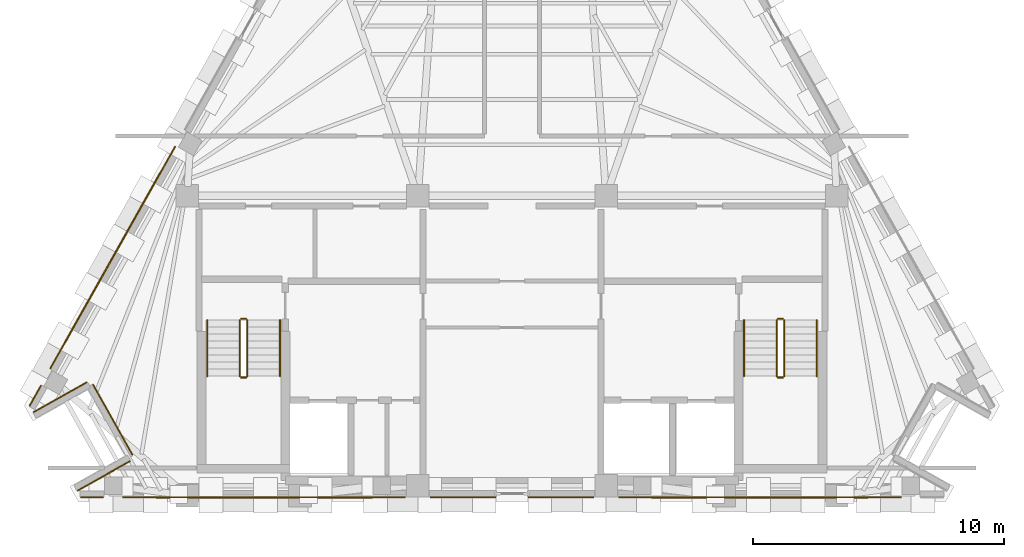
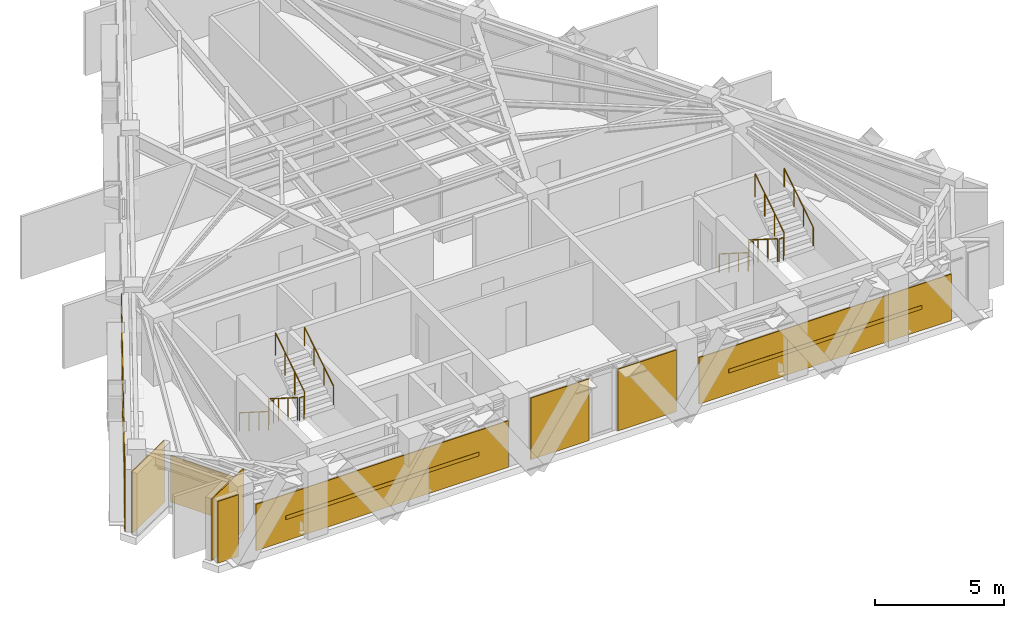
# One storey, part 6 of 7: 12 railings, 10 coverings, 3 shading devices.
"""IFC4 building model written with IfcOpenShell, lengths in metres."""

from ifc_helpers import new_model, si_unit, direction, frame, origin, origin_2d, place, context, subcontext, project, spatial, polyline, rectangle, circle, outline, extrude, material, layer, layer_set, material_profile, profile_set, type_object, element, save


model = new_model("IFC4")

# Units and contexts
model_context = context("Model", 3, precision=1e-05, world=origin(), true_north=direction((0.0, 1.0)))
body_context = subcontext(model_context, "Body", "Model", "MODEL_VIEW")
ifc_project = project(units=[si_unit("LENGTHUNIT", "METRE"), si_unit("AREAUNIT", "SQUARE_METRE"), si_unit("VOLUMEUNIT", "CUBIC_METRE"), si_unit("PLANEANGLEUNIT", "RADIAN"), si_unit("MASSUNIT", "GRAM", prefix="KILO")], contexts=[model_context])

# Site, building, storey
site_placement = place(None, origin())
site = spatial("IfcSite", under=ifc_project, at=site_placement, CompositionType="ELEMENT")
building_placement = place(site_placement, origin())
building = spatial("IfcBuilding", under=site, at=building_placement, Name="Quenlor Broadcast Tower", CompositionType="ELEMENT")
storey_placement = place(building_placement, frame((0.0, 0.0, 280.5)))
storey = spatial("IfcBuildingStorey", under=building, at=storey_placement, Name="L78", CompositionType="ELEMENT", Elevation=280.5)

# Coverings
ifc_material_1 = material(Name="Architectural Terracotta Ceramic", Category="masonry")
ifc_layer = layer(ifc_material_1, 0.044921875)
ifc_layer_set = layer_set([ifc_layer], Name="Fluted Terracotta Rainscreen Cladding Panel")
covering_type = type_object("IfcCoveringType", Name="Fluted Terracotta Rainscreen Cladding Panel", PredefinedType="CLADDING", material=ifc_layer_set)
covering_1_placement = place(storey_placement, frame((0.0, 0.0, 0.02001953125)))
element("IfcCovering", 1, at=covering_1_placement, inside=storey, type_object=covering_type, Name="L78 Terracotta Rainscreen Cladding L78-SHD-SS1", PredefinedType="CLADDING", context=body_context, shape_type="SweptSolid", body=[
    extrude(outline(polyline([(-16.28271484375, -16.787109375), (-17.18994140625, -16.787109375), (-17.18994140625, -16.83203125), (-16.28271484375, -16.83203125), (-16.28271484375, -16.787109375)])), origin(), (0.0, 0.0, 1.0), 2.909912109375),
])
covering_2_placement = place(storey_placement, frame((0.0, 0.0, 0.02001953125)))
element("IfcCovering", 2, at=covering_2_placement, inside=storey, type_object=covering_type, Name="L78 Terracotta Rainscreen Cladding L78-EW-SA", PredefinedType="CLADDING", context=body_context, shape_type="SweptSolid", body=[
    extrude(outline(polyline([(15.5126953125, -16.797119140625), (4.25, -16.797119140625), (4.25, -16.842041015625), (15.5126953125, -16.842041015625), (15.5126953125, -16.797119140625)])), origin(), (0.0, 0.0, 1.0), 2.194091796875),
])
covering_3_placement = place(storey_placement, frame((0.0, 0.0, 0.02001953125)))
element("IfcCovering", 3, at=covering_3_placement, inside=storey, type_object=covering_type, Name="L78 Terracotta Rainscreen Cladding L78-EW-SC", PredefinedType="CLADDING", context=body_context, shape_type="SweptSolid", body=[
    extrude(outline(polyline([(-4.25, -16.797119140625), (-15.5126953125, -16.797119140625), (-15.5126953125, -16.842041015625), (-4.25, -16.842041015625), (-4.25, -16.797119140625)])), origin(), (0.0, 0.0, 1.0), 2.194091796875),
])
covering_4_placement = place(storey_placement, frame((0.0, 0.0, 0.02001953125)))
element("IfcCovering", 4, at=covering_4_placement, inside=storey, type_object=covering_type, Name="L78 Terracotta Rainscreen Cladding L78-S-SP1", PredefinedType="CLADDING", context=body_context, shape_type="SweptSolid", body=[
    extrude(outline(polyline([(3.25, -16.797119140625), (0.64501953125, -16.797119140625), (0.64501953125, -16.842041015625), (3.25, -16.842041015625), (3.25, -16.797119140625)])), origin(), (0.0, 0.0, 1.0), 2.909912109375),
])
covering_5_placement = place(storey_placement, frame((0.0, 0.0, 0.02001953125)))
element("IfcCovering", 5, at=covering_5_placement, inside=storey, type_object=covering_type, Name="L78 Terracotta Rainscreen Cladding L78-S-SP2", PredefinedType="CLADDING", context=body_context, shape_type="SweptSolid", body=[
    extrude(outline(polyline([(-0.64501953125, -16.797119140625), (-3.25, -16.797119140625), (-3.25, -16.842041015625), (-0.64501953125, -16.842041015625), (-0.64501953125, -16.797119140625)])), origin(), (0.0, 0.0, 1.0), 2.909912109375),
])
covering_6_placement = place(storey_placement, frame((0.0, 0.0, 0.02001953125)))
element("IfcCovering", 6, at=covering_6_placement, inside=storey, type_object=covering_type, Name="L78 Terracotta Rainscreen Cladding L78-SHD-NWS0", PredefinedType="CLADDING", context=body_context, shape_type="SweptSolid", body=[
    extrude(outline(polyline([(-19.210205078125, -13.185791015625), (-18.751708984375, -12.37109375), (-18.791015625, -12.34912109375), (-19.24951171875, -13.163818359375), (-19.210205078125, -13.185791015625)])), origin(), (0.0, 0.0, 1.0), 2.909912109375),
])
covering_7_placement = place(storey_placement, frame((0.0, 0.0, 0.02001953125)))
element("IfcCovering", 7, at=covering_7_placement, inside=storey, type_object=covering_type, Name="L78 Terracotta Rainscreen Cladding L78-EW-NWA", PredefinedType="CLADDING", context=body_context, shape_type="SweptSolid", body=[
    extrude(outline(polyline([(-18.383056640625, -11.695068359375), (-13.40380859375, -2.843017578125), (-13.443115234375, -2.821044921875), (-18.42236328125, -11.673095703125), (-18.383056640625, -11.695068359375)])), origin(), (0.0, 0.0, 1.0), 2.909912109375),
])
covering_8_placement = place(storey_placement, frame((0.0, 0.0, 0.02001953125)))
element("IfcCovering", 8, at=covering_8_placement, inside=storey, type_object=covering_type, Name="L78 Terracotta Rainscreen Cladding L78-CNR-13", PredefinedType="CLADDING", context=body_context, shape_type="SweptSolid", body=[
    extrude(outline(polyline([(-19.062255859375, -13.444091796875), (-16.935546875, -12.247802734375), (-16.95751953125, -12.208740234375), (-19.084228515625, -13.405029296875), (-19.062255859375, -13.444091796875)])), origin(), (0.0, 0.0, 1.0), 2.909912109375),
])
covering_9_placement = place(storey_placement, frame((0.0, 0.0, 0.02001953125)))
element("IfcCovering", 9, at=covering_9_placement, inside=storey, type_object=covering_type, Name="L78 Terracotta Rainscreen Cladding L78-CNR-14", PredefinedType="CLADDING", context=body_context, shape_type="SweptSolid", body=[
    extrude(outline(polyline([(-16.72265625, -12.3369140625), (-15.14599609375, -15.139892578125), (-15.106689453125, -15.117919921875), (-16.683349609375, -12.31494140625), (-16.72265625, -12.3369140625)])), origin(), (0.0, 0.0, 1.0), 2.194091796875),
])
covering_10_placement = place(storey_placement, frame((0.0, 0.0, 0.02001953125)))
element("IfcCovering", 10, at=covering_10_placement, inside=storey, type_object=covering_type, Name="L78 Terracotta Rainscreen Cladding L78-CNR-15", PredefinedType="CLADDING", context=body_context, shape_type="SweptSolid", body=[
    extrude(outline(polyline([(-15.23486328125, -15.352783203125), (-17.32666015625, -16.529541015625), (-17.3046875, -16.568603515625), (-15.212890625, -15.39208984375), (-15.23486328125, -15.352783203125)])), origin(), (0.0, 0.0, 1.0), 2.909912109375),
])

# Railings
ifc_material_2 = material(Name="Anodised Aluminium", Category="aluminium")
railing_type_1 = type_object("IfcRailingType", Name="Stainless Aluminium Wall Handrail 900", PredefinedType="HANDRAIL", material=ifc_material_2)
railing_1_placement = place(storey_placement, frame((-12.14990234375, -9.75, 0.177734375)))
element("IfcRailing", 11, at=railing_1_placement, inside=storey, type_object=railing_type_1, Name="L78 ST-1 stair handrail 1", PredefinedType="HANDRAIL", context=body_context, shape_type="SweptSolid", body=[
    extrude(circle(Radius=0.02392578125, at=origin_2d()), frame((0.0, 0.0, 0.8759765625), z_axis=(0.0, -0.84418770128, 0.536047689118), x_axis=(1.0, 0.0, 0.0)), (0.0, 0.0, 1.0), 2.6533203125),
    extrude(circle(Radius=0.02099609375, at=origin_2d()), origin(), (0.0, 0.0, 1.0), 0.851806640625),
    extrude(circle(Radius=0.02099609375, at=origin_2d()), frame((0.0, -0.74658203125, 0.47412109375)), (0.0, 0.0, 1.0), 0.851806640625),
    extrude(circle(Radius=0.02099609375, at=origin_2d()), frame((0.0, -1.493408203125, 0.9482421875)), (0.0, 0.0, 1.0), 0.851806640625),
    extrude(circle(Radius=0.02099609375, at=origin_2d()), frame((0.0, -2.239990234375, 1.42236328125)), (0.0, 0.0, 1.0), 0.851806640625),
])
railing_2_placement = place(storey_placement, frame((-9.25, -11.989990234375, 1.77783203125)))
element("IfcRailing", 12, at=railing_2_placement, inside=storey, type_object=railing_type_1, Name="L78 ST-1 stair handrail 2", PredefinedType="HANDRAIL", context=body_context, shape_type="SweptSolid", body=[
    extrude(circle(Radius=0.02392578125, at=origin_2d()), frame((0.0, 0.0, 0.8759765625), z_axis=(0.0, 0.8442293374, 0.53598211339), x_axis=(-1.0, 0.0, 0.0)), (0.0, 0.0, 1.0), 2.6533203125),
    extrude(circle(Radius=0.02099609375, at=origin_2d()), origin(), (0.0, 0.0, 1.0), 0.851806640625),
    extrude(circle(Radius=0.02099609375, at=origin_2d()), frame((0.0, 0.74658203125, 0.47412109375)), (0.0, 0.0, 1.0), 0.851806640625),
    extrude(circle(Radius=0.02099609375, at=origin_2d()), frame((0.0, 1.493408203125, 0.947998046875)), (0.0, 0.0, 1.0), 0.851806640625),
    extrude(circle(Radius=0.02099609375, at=origin_2d()), frame((0.0, 2.239990234375, 1.422119140625)), (0.0, 0.0, 1.0), 0.851806640625),
])
railing_3_placement = place(storey_placement, frame((9.25, -9.75, 0.177734375)))
element("IfcRailing", 13, at=railing_3_placement, inside=storey, type_object=railing_type_1, Name="L78 ST-2 stair handrail 1", PredefinedType="HANDRAIL", context=body_context, shape_type="SweptSolid", body=[
    extrude(circle(Radius=0.02392578125, at=origin_2d()), frame((0.0, 0.0, 0.8759765625), z_axis=(0.0, -0.84418770128, 0.536047689118), x_axis=(1.0, 0.0, 0.0)), (0.0, 0.0, 1.0), 2.6533203125),
    extrude(circle(Radius=0.02099609375, at=origin_2d()), origin(), (0.0, 0.0, 1.0), 0.851806640625),
    extrude(circle(Radius=0.02099609375, at=origin_2d()), frame((0.0, -0.74658203125, 0.47412109375)), (0.0, 0.0, 1.0), 0.851806640625),
    extrude(circle(Radius=0.02099609375, at=origin_2d()), frame((0.0, -1.493408203125, 0.9482421875)), (0.0, 0.0, 1.0), 0.851806640625),
    extrude(circle(Radius=0.02099609375, at=origin_2d()), frame((0.0, -2.239990234375, 1.42236328125)), (0.0, 0.0, 1.0), 0.851806640625),
])
railing_4_placement = place(storey_placement, frame((12.14990234375, -11.989990234375, 1.77783203125)))
element("IfcRailing", 14, at=railing_4_placement, inside=storey, type_object=railing_type_1, Name="L78 ST-2 stair handrail 2", PredefinedType="HANDRAIL", context=body_context, shape_type="SweptSolid", body=[
    extrude(circle(Radius=0.02392578125, at=origin_2d()), frame((0.0, 0.0, 0.8759765625), z_axis=(0.0, 0.8442293374, 0.53598211339), x_axis=(-1.0, 0.0, 0.0)), (0.0, 0.0, 1.0), 2.6533203125),
    extrude(circle(Radius=0.02099609375, at=origin_2d()), origin(), (0.0, 0.0, 1.0), 0.851806640625),
    extrude(circle(Radius=0.02099609375, at=origin_2d()), frame((0.0, 0.74658203125, 0.47412109375)), (0.0, 0.0, 1.0), 0.851806640625),
    extrude(circle(Radius=0.02099609375, at=origin_2d()), frame((0.0, 1.493408203125, 0.947998046875)), (0.0, 0.0, 1.0), 0.851806640625),
    extrude(circle(Radius=0.02099609375, at=origin_2d()), frame((0.0, 2.239990234375, 1.422119140625)), (0.0, 0.0, 1.0), 0.851806640625),
])

# Shading devices
ifc_material_3 = material(Name="Architectural Terracotta Ceramic", Category="masonry")
ifc_material_profile = material_profile(ifc_material_3, rectangle(XDim=0.06005859375, YDim=0.179931640625, at=origin_2d()))
ifc_profile_set = profile_set([ifc_material_profile], Name="Architectural Terracotta Ceramic LVR60x180")
shading_device_type = type_object("IfcShadingDeviceType", Name="Terracotta Acoustic Plant Weather Louvre 180", PredefinedType="JALOUSIE", material=ifc_profile_set)
for number, where, z_axis, x_axis, name in (
    (15, (14.183837890625, -16.822998046875, 1.116943359375), (-1.0, 0.0, 0.0), (0.0, -1.0, 0.0), "L78 Plant Weather Louvre L78-LV-SA"),
    (16, (-5.57861328125, -16.822998046875, 1.116943359375), (-1.0, 0.0, 0.0), (0.0, -1.0, 0.0), "L78 Plant Weather Louvre L78-LV-SC"),
):
    element("IfcShadingDevice", number, at=place(storey_placement, frame(where, z_axis=z_axis, x_axis=x_axis)), inside=storey, type_object=shading_device_type, Name=name, PredefinedType="JALOUSIE", context=body_context, shape_type="SweptSolid", body=[
        extrude(rectangle(XDim=0.06005859375, YDim=0.179931640625, at=origin_2d()), origin(), (0.0, 0.0, 1.0), 8.605224609375),
    ])
shading_device_placement = place(storey_placement, frame((-17.8193359375, -10.639892578125, 1.47509765625), z_axis=(0.490276168503, 0.871567139467, 0.0), x_axis=(-0.871567139467, 0.490276168503, 0.0)))
element("IfcShadingDevice", 17, at=shading_device_placement, inside=storey, type_object=shading_device_type, Name="L78 Plant Weather Louvre L78-LV-NWA", PredefinedType="JALOUSIE", context=body_context, shape_type="SweptSolid", body=[
    extrude(rectangle(XDim=0.06005859375, YDim=0.179931640625, at=origin_2d()), origin(), (0.0, 0.0, 1.0), 7.76416015625),
])

# Railings
ifc_material_4 = material(Name="Steel S355", Category="steel")
railing_type_2 = type_object("IfcRailingType", Name="Tubular Steel S355 Stair Guardrail 1100", PredefinedType="BALUSTRADE", material=ifc_material_4)
railing_5_placement = place(storey_placement, frame((-10.85009765625, -9.75, 0.177734375)))
element("IfcRailing", 18, at=railing_5_placement, inside=storey, type_object=railing_type_2, Name="L78 ST-1 stair guard 1", PredefinedType="BALUSTRADE", context=body_context, shape_type="SweptSolid", body=[
    extrude(circle(Radius=0.02392578125, at=origin_2d()), frame((0.0, 0.0, 1.076171875), z_axis=(0.0, -0.84418770128, 0.536047689118), x_axis=(1.0, 0.0, 0.0)), (0.0, 0.0, 1.0), 2.6533203125),
    extrude(circle(Radius=0.02099609375, at=origin_2d()), origin(), (0.0, 0.0, 1.0), 1.052001953125),
    extrude(circle(Radius=0.02099609375, at=origin_2d()), frame((0.0, -0.74658203125, 0.47412109375)), (0.0, 0.0, 1.0), 1.052001953125),
    extrude(circle(Radius=0.02099609375, at=origin_2d()), frame((0.0, -1.493408203125, 0.9482421875)), (0.0, 0.0, 1.0), 1.052001953125),
    extrude(circle(Radius=0.02099609375, at=origin_2d()), frame((0.0, -2.239990234375, 1.42236328125)), (0.0, 0.0, 1.0), 1.052001953125),
])
railing_6_placement = place(storey_placement, frame((-10.800048828125, -12.0400390625, 1.60009765625)))
element("IfcRailing", 19, at=railing_6_placement, inside=storey, type_object=railing_type_2, Name="L78 ST-1 stair guard 2", PredefinedType="BALUSTRADE", context=body_context, shape_type="SweptSolid", body=[
    extrude(circle(Radius=0.02392578125, at=origin_2d()), frame((0.0, 0.0, 1.076171875), z_axis=(1.0, 0.0, 0.0), x_axis=(0.0, 1.0, 0.0)), (0.0, 0.0, 1.0), 0.199951171875),
    extrude(circle(Radius=0.02099609375, at=origin_2d()), origin(), (0.0, 0.0, 1.0), 1.052001953125),
    extrude(circle(Radius=0.02099609375, at=origin_2d()), frame((0.199951171875, 0.0, 0.0)), (0.0, 0.0, 1.0), 1.052001953125),
])
railing_7_placement = place(storey_placement, frame((-10.550048828125, -11.989990234375, 1.77783203125)))
element("IfcRailing", 20, at=railing_7_placement, inside=storey, type_object=railing_type_2, Name="L78 ST-1 stair guard 3", PredefinedType="BALUSTRADE", context=body_context, shape_type="SweptSolid", body=[
    extrude(circle(Radius=0.02392578125, at=origin_2d()), frame((0.0, 0.0, 1.076171875), z_axis=(0.0, 0.8442293374, 0.53598211339), x_axis=(-1.0, 0.0, 0.0)), (0.0, 0.0, 1.0), 2.6533203125),
    extrude(circle(Radius=0.02099609375, at=origin_2d()), origin(), (0.0, 0.0, 1.0), 1.052001953125),
    extrude(circle(Radius=0.02099609375, at=origin_2d()), frame((0.0, 0.74658203125, 0.47412109375)), (0.0, 0.0, 1.0), 1.052001953125),
    extrude(circle(Radius=0.02099609375, at=origin_2d()), frame((0.0, 1.493408203125, 0.947998046875)), (0.0, 0.0, 1.0), 1.052001953125),
    extrude(circle(Radius=0.02099609375, at=origin_2d()), frame((0.0, 2.239990234375, 1.422119140625)), (0.0, 0.0, 1.0), 1.052001953125),
])
railing_8_placement = place(storey_placement, frame((-10.800048828125, -9.699951171875, 0.0)))
element("IfcRailing", 21, at=railing_8_placement, inside=storey, type_object=railing_type_2, Name="L78 ST-1 stair guard 4", PredefinedType="BALUSTRADE", context=body_context, shape_type="SweptSolid", body=[
    extrude(circle(Radius=0.02392578125, at=origin_2d()), frame((0.0, 0.0, 1.076171875), z_axis=(1.0, 0.0, 0.0), x_axis=(0.0, 1.0, 0.0)), (0.0, 0.0, 1.0), 0.199951171875),
    extrude(circle(Radius=0.02099609375, at=origin_2d()), origin(), (0.0, 0.0, 1.0), 1.052001953125),
    extrude(circle(Radius=0.02099609375, at=origin_2d()), frame((0.199951171875, 0.0, 0.0)), (0.0, 0.0, 1.0), 1.052001953125),
])
railing_9_placement = place(storey_placement, frame((10.550048828125, -9.75, 0.177734375)))
element("IfcRailing", 22, at=railing_9_placement, inside=storey, type_object=railing_type_2, Name="L78 ST-2 stair guard 1", PredefinedType="BALUSTRADE", context=body_context, shape_type="SweptSolid", body=[
    extrude(circle(Radius=0.02392578125, at=origin_2d()), frame((0.0, 0.0, 1.076171875), z_axis=(0.0, -0.84418770128, 0.536047689118), x_axis=(1.0, 0.0, 0.0)), (0.0, 0.0, 1.0), 2.6533203125),
    extrude(circle(Radius=0.02099609375, at=origin_2d()), origin(), (0.0, 0.0, 1.0), 1.052001953125),
    extrude(circle(Radius=0.02099609375, at=origin_2d()), frame((0.0, -0.74658203125, 0.47412109375)), (0.0, 0.0, 1.0), 1.052001953125),
    extrude(circle(Radius=0.02099609375, at=origin_2d()), frame((0.0, -1.493408203125, 0.9482421875)), (0.0, 0.0, 1.0), 1.052001953125),
    extrude(circle(Radius=0.02099609375, at=origin_2d()), frame((0.0, -2.239990234375, 1.42236328125)), (0.0, 0.0, 1.0), 1.052001953125),
])
railing_10_placement = place(storey_placement, frame((10.60009765625, -12.0400390625, 1.60009765625)))
element("IfcRailing", 23, at=railing_10_placement, inside=storey, type_object=railing_type_2, Name="L78 ST-2 stair guard 2", PredefinedType="BALUSTRADE", context=body_context, shape_type="SweptSolid", body=[
    extrude(circle(Radius=0.02392578125, at=origin_2d()), frame((0.0, 0.0, 1.076171875), z_axis=(1.0, 0.0, 0.0), x_axis=(0.0, 1.0, 0.0)), (0.0, 0.0, 1.0), 0.199951171875),
    extrude(circle(Radius=0.02099609375, at=origin_2d()), origin(), (0.0, 0.0, 1.0), 1.052001953125),
    extrude(circle(Radius=0.02099609375, at=origin_2d()), frame((0.199951171875, 0.0, 0.0)), (0.0, 0.0, 1.0), 1.052001953125),
])
railing_11_placement = place(storey_placement, frame((10.85009765625, -11.989990234375, 1.77783203125)))
element("IfcRailing", 24, at=railing_11_placement, inside=storey, type_object=railing_type_2, Name="L78 ST-2 stair guard 3", PredefinedType="BALUSTRADE", context=body_context, shape_type="SweptSolid", body=[
    extrude(circle(Radius=0.02392578125, at=origin_2d()), frame((0.0, 0.0, 1.076171875), z_axis=(0.0, 0.8442293374, 0.53598211339), x_axis=(-1.0, 0.0, 0.0)), (0.0, 0.0, 1.0), 2.6533203125),
    extrude(circle(Radius=0.02099609375, at=origin_2d()), origin(), (0.0, 0.0, 1.0), 1.052001953125),
    extrude(circle(Radius=0.02099609375, at=origin_2d()), frame((0.0, 0.74658203125, 0.47412109375)), (0.0, 0.0, 1.0), 1.052001953125),
    extrude(circle(Radius=0.02099609375, at=origin_2d()), frame((0.0, 1.493408203125, 0.947998046875)), (0.0, 0.0, 1.0), 1.052001953125),
    extrude(circle(Radius=0.02099609375, at=origin_2d()), frame((0.0, 2.239990234375, 1.422119140625)), (0.0, 0.0, 1.0), 1.052001953125),
])
railing_12_placement = place(storey_placement, frame((10.60009765625, -9.699951171875, 0.0)))
element("IfcRailing", 25, at=railing_12_placement, inside=storey, type_object=railing_type_2, Name="L78 ST-2 stair guard 4", PredefinedType="BALUSTRADE", context=body_context, shape_type="SweptSolid", body=[
    extrude(circle(Radius=0.02392578125, at=origin_2d()), frame((0.0, 0.0, 1.076171875), z_axis=(1.0, 0.0, 0.0), x_axis=(0.0, 1.0, 0.0)), (0.0, 0.0, 1.0), 0.199951171875),
    extrude(circle(Radius=0.02099609375, at=origin_2d()), origin(), (0.0, 0.0, 1.0), 1.052001953125),
    extrude(circle(Radius=0.02099609375, at=origin_2d()), frame((0.199951171875, 0.0, 0.0)), (0.0, 0.0, 1.0), 1.052001953125),
])

save(model, "model.ifc")
